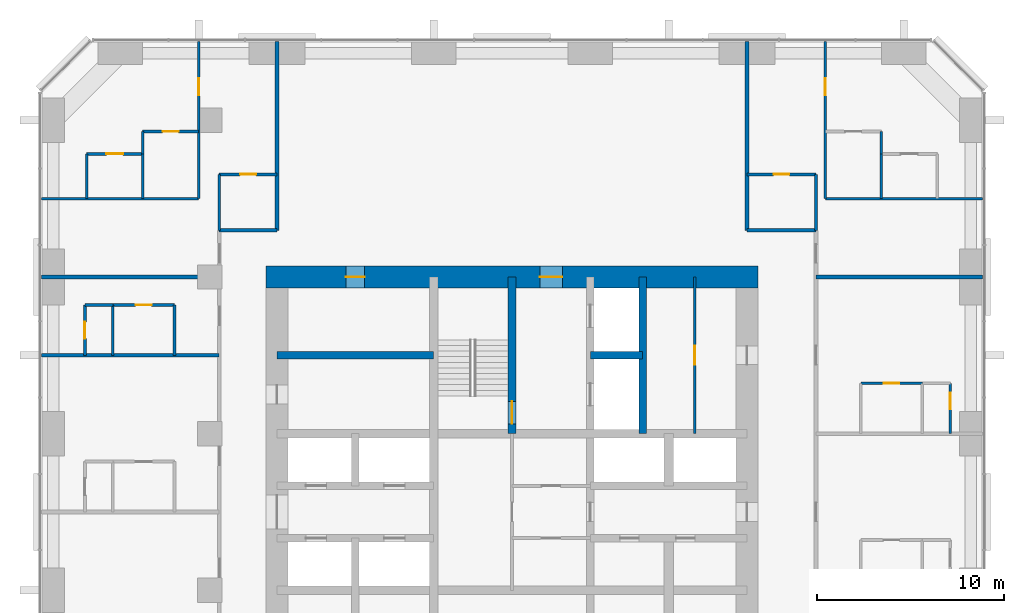
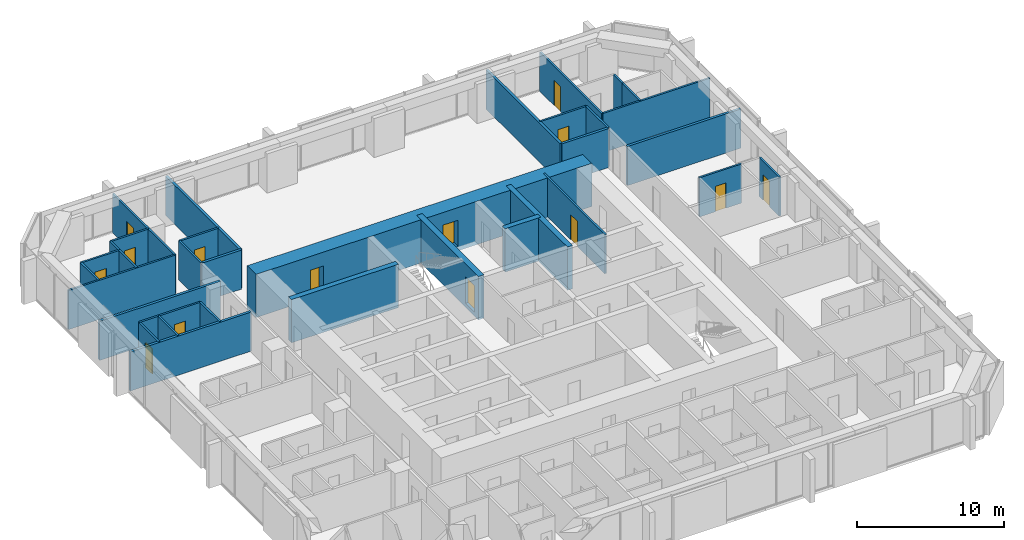
# One storey, part 12 of 14: 35 walls, 14 doors, 14 openings.
"""IFC4 building model written with IfcOpenShell, lengths in metres."""

from ifc_helpers import new_model, si_unit, direction, frame, frame_2d, origin, place, context, subcontext, project, spatial, rectangle, extrude, material, layer, layer_set, type_object, element, fill, save


model = new_model("IFC4")

# Units and contexts
model_context = context("Model", 3, precision=1e-05, world=origin(), true_north=direction((0.0, 1.0)))
body_context = subcontext(model_context, "Body", "Model", "MODEL_VIEW")
ifc_project = project(units=[si_unit("LENGTHUNIT", "METRE"), si_unit("AREAUNIT", "SQUARE_METRE"), si_unit("VOLUMEUNIT", "CUBIC_METRE"), si_unit("PLANEANGLEUNIT", "RADIAN"), si_unit("MASSUNIT", "GRAM", prefix="KILO")], contexts=[model_context])

# Site, building, storey
site_placement = place(None, origin())
site = spatial("IfcSite", under=ifc_project, at=site_placement, CompositionType="ELEMENT")
building_placement = place(site_placement, origin())
building = spatial("IfcBuilding", under=site, at=building_placement, Name="Dunama Terrace Hotel", CompositionType="ELEMENT")
storey_placement = place(building_placement, frame((0.0, 0.0, 213.0)))
storey = spatial("IfcBuildingStorey", under=building, at=storey_placement, Name="L55", CompositionType="ELEMENT", Elevation=213.0)

# Walls
ifc_material_1 = material(Name="Gypsum board partition", Category="masonry")
ifc_layer_1 = layer(ifc_material_1, 0.14990234375)
ifc_layer_set_1 = layer_set([ifc_layer_1], Name="Bathroom partition 150")
wall_type_1 = type_object("IfcWallType", Name="Bathroom partition 150", PredefinedType="PARTITIONING", material=ifc_layer_set_1)
wall_1_placement = place(storey_placement, frame((9.60009765625, 48.60009765625, 0.0), z_axis=(0.0, 0.0, 1.0), x_axis=(0.0, 1.0, 0.0)))
element("IfcWall", 1, at=wall_1_placement, inside=storey, type_object=wall_type_1, Name="Bathroom partition 150 L55", PredefinedType="PARTITIONING", context=body_context, shape_type="SweptSolid", body=[
    extrude(rectangle(XDim=1.199951171875, YDim=0.14990234375, at=frame_2d((0.60009765625, 0.0))), origin(), (0.0, 0.0, 1.0), 3.25),
])
wall_2_placement = place(storey_placement, frame((11.300048828125, 37.800048828125, 0.0), z_axis=(0.0, 0.0, 1.0), x_axis=(0.0, 1.0, 0.0)))
element("IfcWall", 2, at=wall_2_placement, inside=storey, type_object=wall_type_1, Name="Bathroom partition 150 L55", PredefinedType="PARTITIONING", context=body_context, shape_type="SweptSolid", body=[
    extrude(rectangle(XDim=2.699951171875, YDim=0.14990234375, at=frame_2d((1.35009765625, 0.0))), origin(), (0.0, 0.0, 1.0), 3.25),
])
for number, where, z_axis, x_axis, name in (
    (3, (13.699951171875, 44.5, 0.0), (0.0, 0.0, 1.0), (0.0, 1.0, 0.0), "Bathroom partition 150 L55"),
    (4, (45.699951171875, 44.5, 0.0), (0.0, 0.0, 1.0), (0.0, 1.0, 0.0), "Bathroom partition 150 L55"),
):
    element("IfcWall", number, at=place(storey_placement, frame(where, z_axis=z_axis, x_axis=x_axis)), inside=storey, type_object=wall_type_1, Name=name, PredefinedType="PARTITIONING", context=body_context, shape_type="SweptSolid", body=[
        extrude(rectangle(XDim=3.0, YDim=0.14990234375, at=frame_2d((1.5, 0.0))), origin(), (0.0, 0.0, 1.0), 3.25),
    ])
wall_3_placement = place(storey_placement, frame((49.199951171875, 48.60009765625, 0.0), z_axis=(0.0, 0.0, 1.0), x_axis=(0.0, 1.0, 0.0)))
element("IfcWall", 5, at=wall_3_placement, inside=storey, type_object=wall_type_1, Name="Bathroom partition 150 L55", PredefinedType="PARTITIONING", context=body_context, shape_type="SweptSolid", body=[
    extrude(rectangle(XDim=1.199951171875, YDim=0.14990234375, at=frame_2d((0.60009765625, 0.0))), origin(), (0.0, 0.0, 1.0), 3.25),
])

# Wall, opening, door
wall_4_placement = place(storey_placement, frame((48.10009765625, 36.300048828125, 0.0), z_axis=(0.0, 0.0, 1.0), x_axis=(1.0, 0.0, 0.0)))
wall_4 = element("IfcWall", 6, at=wall_4_placement, inside=storey, type_object=wall_type_1, Name="Bathroom partition 150 L55", PredefinedType="PARTITIONING", context=body_context, shape_type="SweptSolid", body=[
    extrude(rectangle(XDim=3.2998046875, YDim=0.14990234375, at=frame_2d((1.64990234375, 0.0))), origin(), (0.0, 0.0, 1.0), 3.25),
])
opening_1_placement = place(wall_4_placement, frame((1.22509765625, 0.0, 0.0)))
opening_1 = element("IfcOpeningElement", 7, at=opening_1_placement, cuts=wall_4, Name="Opening L55-034", PredefinedType="OPENING", context=body_context, shape_type="SweptSolid", body=[
    extrude(rectangle(XDim=0.85009765625, YDim=2.10009765625, at=frame_2d((0.425048828125, 1.050048828125))), frame((0.0, 0.0849609375, 0.0), z_axis=(0.0, -1.0, 0.0), x_axis=(1.0, 0.0, 0.0)), (0.0, 0.0, 1.0), 0.169921875),
])
ifc_material_2 = material(Name="Timber door with steel frame", Category="steel")
door_type_1 = type_object("IfcDoorType", Name="Bathroom door 850", OperationType="SINGLE_SWING_LEFT", PredefinedType="DOOR", material=ifc_material_2)
door_1_placement = place(opening_1_placement, frame((0.85009765625, 0.0, 0.0), z_axis=(0.0, 0.0, 1.0), x_axis=(-1.0, 0.0, 0.0)))
door_1 = element("IfcDoor", 8, at=door_1_placement, inside=storey, type_object=door_type_1, Name="Door to en-suite bathroom L55-034, type D2", OperationType="SINGLE_SWING_LEFT", OverallHeight=2.10009765625, OverallWidth=0.85009765625, PredefinedType="DOOR", context=body_context, shape_type="SweptSolid", body=[
    extrude(rectangle(XDim=0.85009765625, YDim=2.10009765625, at=frame_2d((0.425048828125, 1.050048828125))), frame((0.0, 0.025146484375, 0.0), z_axis=(0.0, -1.0, 0.0), x_axis=(1.0, 0.0, 0.0)), (0.0, 0.0, 1.0), 0.050048828125),
])
fill(opening_1, door_1)

wall_5_placement = place(storey_placement, frame((8.0, 40.5, 0.0), z_axis=(0.0, 0.0, 1.0), x_axis=(1.0, 0.0, 0.0)))
wall_5 = element("IfcWall", 9, at=wall_5_placement, inside=storey, type_object=wall_type_1, Name="Bathroom partition 150 L55", PredefinedType="PARTITIONING", context=body_context, shape_type="SweptSolid", body=[
    extrude(rectangle(XDim=3.300048828125, YDim=0.14990234375, at=frame_2d((1.64990234375, 0.0))), origin(), (0.0, 0.0, 1.0), 3.25),
])
opening_2_placement = place(wall_5_placement, frame((1.22509765625, 0.0, 0.0)))
opening_2 = element("IfcOpeningElement", 10, at=opening_2_placement, cuts=wall_5, Name="Opening L55-046", PredefinedType="OPENING", context=body_context, shape_type="SweptSolid", body=[
    extrude(rectangle(XDim=0.85009765625, YDim=2.10009765625, at=frame_2d((0.425048828125, 1.050048828125))), frame((0.0, 0.0849609375, 0.0), z_axis=(0.0, -1.0, 0.0), x_axis=(1.0, 0.0, 0.0)), (0.0, 0.0, 1.0), 0.169921875),
])
door_2_placement = place(opening_2_placement, frame((0.85009765625, 0.0, 0.0), z_axis=(0.0, 0.0, 1.0), x_axis=(-1.0, 0.0, 0.0)))
door_2 = element("IfcDoor", 11, at=door_2_placement, inside=storey, type_object=door_type_1, Name="Door to en-suite bathroom L55-046, type D2", OperationType="SINGLE_SWING_RIGHT", OverallHeight=2.10009765625, OverallWidth=0.85009765625, PredefinedType="DOOR", context=body_context, shape_type="SweptSolid", body=[
    extrude(rectangle(XDim=0.85009765625, YDim=2.10009765625, at=frame_2d((0.425048828125, 1.050048828125))), frame((0.0, 0.025146484375, 0.0), z_axis=(0.0, -1.0, 0.0), x_axis=(1.0, 0.0, 0.0)), (0.0, 0.0, 1.0), 0.050048828125),
])
fill(opening_2, door_2)

wall_6_placement = place(storey_placement, frame((13.699951171875, 47.5, 0.0), z_axis=(0.0, 0.0, 1.0), x_axis=(1.0, 0.0, 0.0)))
wall_6 = element("IfcWall", 12, at=wall_6_placement, inside=storey, type_object=wall_type_1, Name="Bathroom partition 150 L55", PredefinedType="PARTITIONING", context=body_context, shape_type="SweptSolid", body=[
    extrude(rectangle(XDim=3.10009765625, YDim=0.14990234375, at=frame_2d((1.550048828125, 0.0))), origin(), (0.0, 0.0, 1.0), 3.25),
])
opening_3_placement = place(wall_6_placement, frame((1.125, 0.0, 0.0)))
opening_3 = element("IfcOpeningElement", 13, at=opening_3_placement, cuts=wall_6, Name="Opening L55-064", PredefinedType="OPENING", context=body_context, shape_type="SweptSolid", body=[
    extrude(rectangle(XDim=0.85009765625, YDim=2.10009765625, at=frame_2d((0.425048828125, 1.050048828125))), frame((0.0, 0.0849609375, 0.0), z_axis=(0.0, -1.0, 0.0), x_axis=(1.0, 0.0, 0.0)), (0.0, 0.0, 1.0), 0.169921875),
])
door_3_placement = place(opening_3_placement, frame((0.85009765625, 0.0, 0.0), z_axis=(0.0, 0.0, 1.0), x_axis=(-1.0, 0.0, 0.0)))
door_3 = element("IfcDoor", 14, at=door_3_placement, inside=storey, type_object=door_type_1, Name="Door to powder room L55-064, type D2", OperationType="SINGLE_SWING_LEFT", OverallHeight=2.10009765625, OverallWidth=0.85009765625, PredefinedType="DOOR", context=body_context, shape_type="SweptSolid", body=[
    extrude(rectangle(XDim=0.85009765625, YDim=2.10009765625, at=frame_2d((0.425048828125, 1.050048828125))), frame((0.0, 0.025146484375, 0.0), z_axis=(0.0, -1.0, 0.0), x_axis=(1.0, 0.0, 0.0)), (0.0, 0.0, 1.0), 0.050048828125),
])
fill(opening_3, door_3)

wall_7_placement = place(storey_placement, frame((42.0, 47.5, 0.0), z_axis=(0.0, 0.0, 1.0), x_axis=(1.0, 0.0, 0.0)))
wall_7 = element("IfcWall", 15, at=wall_7_placement, inside=storey, type_object=wall_type_1, Name="Bathroom partition 150 L55", PredefinedType="PARTITIONING", context=body_context, shape_type="SweptSolid", body=[
    extrude(rectangle(XDim=3.699951171875, YDim=0.14990234375, at=frame_2d((1.85009765625, 0.0))), origin(), (0.0, 0.0, 1.0), 3.25),
])
opening_4_placement = place(wall_7_placement, frame((1.425048828125, 0.0, 0.0)))
opening_4 = element("IfcOpeningElement", 16, at=opening_4_placement, cuts=wall_7, Name="Opening L55-059", PredefinedType="OPENING", context=body_context, shape_type="SweptSolid", body=[
    extrude(rectangle(XDim=0.85009765625, YDim=2.10009765625, at=frame_2d((0.425048828125, 1.050048828125))), frame((0.0, 0.0849609375, 0.0), z_axis=(0.0, -1.0, 0.0), x_axis=(1.0, 0.0, 0.0)), (0.0, 0.0, 1.0), 0.169921875),
])
door_4_placement = place(opening_4_placement, frame((0.85009765625, 0.0, 0.0), z_axis=(0.0, 0.0, 1.0), x_axis=(-1.0, 0.0, 0.0)))
door_4 = element("IfcDoor", 17, at=door_4_placement, inside=storey, type_object=door_type_1, Name="Door to powder room L55-059, type D2", OperationType="SINGLE_SWING_RIGHT", OverallHeight=2.10009765625, OverallWidth=0.85009765625, PredefinedType="DOOR", context=body_context, shape_type="SweptSolid", body=[
    extrude(rectangle(XDim=0.85009765625, YDim=2.10009765625, at=frame_2d((0.425048828125, 1.050048828125))), frame((0.0, 0.025146484375, 0.0), z_axis=(0.0, -1.0, 0.0), x_axis=(1.0, 0.0, 0.0)), (0.0, 0.0, 1.0), 0.050048828125),
])
fill(opening_4, door_4)

wall_8_placement = place(storey_placement, frame((9.60009765625, 49.800048828125, 0.0), z_axis=(0.0, 0.0, 1.0), x_axis=(1.0, 0.0, 0.0)))
wall_8 = element("IfcWall", 18, at=wall_8_placement, inside=storey, type_object=wall_type_1, Name="Bathroom partition 150 L55", PredefinedType="PARTITIONING", context=body_context, shape_type="SweptSolid", body=[
    extrude(rectangle(XDim=3.0, YDim=0.14990234375, at=frame_2d((1.5, 0.0))), origin(), (0.0, 0.0, 1.0), 3.25),
])
opening_5_placement = place(wall_8_placement, frame((1.074951171875, 0.0, 0.0)))
opening_5 = element("IfcOpeningElement", 19, at=opening_5_placement, cuts=wall_8, Name="Opening L55-066", PredefinedType="OPENING", context=body_context, shape_type="SweptSolid", body=[
    extrude(rectangle(XDim=0.85009765625, YDim=2.10009765625, at=frame_2d((0.425048828125, 1.050048828125))), frame((0.0, 0.0849609375, 0.0), z_axis=(0.0, -1.0, 0.0), x_axis=(1.0, 0.0, 0.0)), (0.0, 0.0, 1.0), 0.169921875),
])
door_5_placement = place(opening_5_placement, frame((0.85009765625, 0.0, 0.0), z_axis=(0.0, 0.0, 1.0), x_axis=(-1.0, 0.0, 0.0)))
door_5 = element("IfcDoor", 20, at=door_5_placement, inside=storey, type_object=door_type_1, Name="Door to en-suite bathroom L55-066, type D2", OperationType="SINGLE_SWING_RIGHT", OverallHeight=2.10009765625, OverallWidth=0.85009765625, PredefinedType="DOOR", context=body_context, shape_type="SweptSolid", body=[
    extrude(rectangle(XDim=0.85009765625, YDim=2.10009765625, at=frame_2d((0.425048828125, 1.050048828125))), frame((0.0, 0.025146484375, 0.0), z_axis=(0.0, -1.0, 0.0), x_axis=(1.0, 0.0, 0.0)), (0.0, 0.0, 1.0), 0.050048828125),
])
fill(opening_5, door_5)

# Walls
ifc_material_3 = material(Name="Concrete C50/60", Category="concrete")
ifc_layer_2 = layer(ifc_material_3, 0.39990234375)
ifc_layer_set_2 = layer_set([ifc_layer_2], Name="Core inner wall 400")
wall_type_2 = type_object("IfcWallType", Name="Core inner wall 400", PredefinedType="SHEAR", material=ifc_layer_set_2)
for number, where, z_axis, x_axis, name in (
    (21, (36.39990234375, 33.60009765625, -0.35009765625), (0.0, 0.0, 1.0), (0.0, 1.0, 0.0), "Core inner wall 400 L55"),
    (22, (16.800048828125, 37.800048828125, -0.35009765625), (0.0, 0.0, 1.0), (1.0, 0.0, 0.0), "Core inner wall 400 L55"),
):
    element("IfcWall", number, at=place(storey_placement, frame(where, z_axis=z_axis, x_axis=x_axis)), inside=storey, type_object=wall_type_2, Name=name, PredefinedType="SHEAR", context=body_context, shape_type="SweptSolid", body=[
        extrude(rectangle(XDim=8.39990234375, YDim=0.39990234375, at=frame_2d((4.199951171875, 0.0))), origin(), (0.0, 0.0, 1.0), 3.60009765625),
    ])
wall_9_placement = place(storey_placement, frame((33.60009765625, 37.800048828125, -0.35009765625), z_axis=(0.0, 0.0, 1.0), x_axis=(1.0, 0.0, 0.0)))
element("IfcWall", 23, at=wall_9_placement, inside=storey, type_object=wall_type_2, Name="Core inner wall 400 L55", PredefinedType="SHEAR", context=body_context, shape_type="SweptSolid", body=[
    extrude(rectangle(XDim=2.7998046875, YDim=0.39990234375, at=frame_2d((1.39990234375, 0.0))), origin(), (0.0, 0.0, 1.0), 3.60009765625),
])

# Wall, opening, door
ifc_material_4 = material(Name="Concrete C50/60", Category="concrete")
ifc_layer_3 = layer(ifc_material_4, 0.449951171875)
ifc_layer_set_3 = layer_set([ifc_layer_3], Name="Core inner wall 450")
wall_type_3 = type_object("IfcWallType", Name="Core inner wall 450", PredefinedType="SHEAR", material=ifc_layer_set_3)
wall_10_placement = place(storey_placement, frame((29.39990234375, 33.60009765625, -0.35009765625), z_axis=(0.0, 0.0, 1.0), x_axis=(0.0, 1.0, 0.0)))
wall_10 = element("IfcWall", 24, at=wall_10_placement, inside=storey, type_object=wall_type_3, Name="Core inner wall 450 L55", PredefinedType="SHEAR", context=body_context, shape_type="SweptSolid", body=[
    extrude(rectangle(XDim=8.39990234375, YDim=0.449951171875, at=frame_2d((4.199951171875, 0.0))), origin(), (0.0, 0.0, 1.0), 3.60009765625),
])
opening_6_placement = place(wall_10_placement, frame((0.52490234375, 0.0, 0.35009765625)))
opening_6 = element("IfcOpeningElement", 25, at=opening_6_placement, cuts=wall_10, Name="Opening L55-001", PredefinedType="OPENING", context=body_context, shape_type="SweptSolid", body=[
    extrude(rectangle(XDim=1.199951171875, YDim=2.199951171875, at=frame_2d((0.60009765625, 1.10009765625))), frame((0.0, 0.23486328125, 0.0), z_axis=(0.0, -1.0, 0.0), x_axis=(1.0, 0.0, 0.0)), (0.0, 0.0, 1.0), 0.469970703125),
])
ifc_material_5 = material(Name="Timber door with steel frame", Category="steel")
door_type_2 = type_object("IfcDoorType", Name="Stair door 1200", OperationType="SINGLE_SWING_LEFT", PredefinedType="DOOR", material=ifc_material_5)
door_6_placement = place(opening_6_placement, origin())
door_6 = element("IfcDoor", 26, at=door_6_placement, inside=storey, type_object=door_type_2, Name="Stair door ST1 L55-001, type D5", OperationType="SINGLE_SWING_LEFT", OverallHeight=2.199951171875, OverallWidth=1.199951171875, PredefinedType="DOOR", context=body_context, shape_type="SweptSolid", body=[
    extrude(rectangle(XDim=1.199951171875, YDim=2.199951171875, at=frame_2d((0.60009765625, 1.10009765625))), frame((0.0, 0.02490234375, 0.0), z_axis=(0.0, -1.0, 0.0), x_axis=(1.0, 0.0, 0.0)), (0.0, 0.0, 1.0), 0.050048828125),
])
fill(opening_6, door_6)

# Wall, openings, doors
ifc_material_6 = material(Name="Concrete C60/75", Category="concrete")
ifc_layer_4 = layer(ifc_material_6, 1.199951171875)
ifc_layer_set_4 = layer_set([ifc_layer_4], Name="Core wall 1200")
wall_type_4 = type_object("IfcWallType", Name="Core wall 1200", PredefinedType="SHEAR", material=ifc_layer_set_4)
wall_11_placement = place(storey_placement, frame((42.60009765625, 42.0, -0.35009765625), z_axis=(0.0, 0.0, 1.0), x_axis=(-1.0, 0.0, 0.0)))
wall_11 = element("IfcWall", 27, at=wall_11_placement, inside=storey, type_object=wall_type_4, Name="Core wall north L55", PredefinedType="SHEAR", context=body_context, shape_type="SweptSolid", body=[
    extrude(rectangle(XDim=26.400146484375, YDim=1.199951171875, at=frame_2d((13.2001953125, 0.0))), origin(), (0.0, 0.0, 1.0), 3.60009765625),
])
opening_7_placement = place(wall_11_placement, frame((21.10009765625, 0.0, 0.35009765625)))
opening_7 = element("IfcOpeningElement", 28, at=opening_7_placement, cuts=wall_11, Name="Opening L55-075", PredefinedType="OPENING", context=body_context, shape_type="SweptSolid", body=[
    extrude(rectangle(XDim=1.0, YDim=2.10009765625, at=frame_2d((0.5, 1.050048828125))), frame((0.0, 0.60986328125, 0.0), z_axis=(0.0, -1.0, 0.0), x_axis=(1.0, 0.0, 0.0)), (0.0, 0.0, 1.0), 1.219970703125),
])
opening_8_placement = place(wall_11_placement, frame((10.5, 0.0, 0.35009765625)))
opening_8 = element("IfcOpeningElement", 29, at=opening_8_placement, cuts=wall_11, Name="Opening L55-083", PredefinedType="OPENING", context=body_context, shape_type="SweptSolid", body=[
    extrude(rectangle(XDim=1.199951171875, YDim=2.199951171875, at=frame_2d((0.60009765625, 1.10009765625))), frame((0.0, 0.60986328125, 0.0), z_axis=(0.0, -1.0, 0.0), x_axis=(1.0, 0.0, 0.0)), (0.0, 0.0, 1.0), 1.219970703125),
])
ifc_material_7 = material(Name="Timber door with steel frame", Category="steel")
door_type_3 = type_object("IfcDoorType", Name="Firefighting lobby door 1200", OperationType="SINGLE_SWING_LEFT", PredefinedType="DOOR", material=ifc_material_7)
door_7_placement = place(opening_8_placement, origin())
door_7 = element("IfcDoor", 30, at=door_7_placement, inside=storey, type_object=door_type_3, Name="Door to firefighting lobby L55-083, type D4", OperationType="SINGLE_SWING_RIGHT", OverallHeight=2.199951171875, OverallWidth=1.199951171875, PredefinedType="DOOR", context=body_context, shape_type="SweptSolid", body=[
    extrude(rectangle(XDim=1.199951171875, YDim=2.199951171875, at=frame_2d((0.60009765625, 1.10009765625))), frame((0.0, 0.02490234375, 0.0), z_axis=(0.0, -1.0, 0.0), x_axis=(1.0, 0.0, 0.0)), (0.0, 0.0, 1.0), 0.050048828125),
])
fill(opening_8, door_7)
ifc_material_8 = material(Name="Timber door with steel frame", Category="steel")
door_type_4 = type_object("IfcDoorType", Name="Service door 1000", OperationType="SINGLE_SWING_LEFT", PredefinedType="DOOR", material=ifc_material_8)
door_8_placement = place(opening_7_placement, origin())
door_8 = element("IfcDoor", 31, at=door_8_placement, inside=storey, type_object=door_type_4, Name="Door to communications and riser room L55-075, type D7", OperationType="SINGLE_SWING_LEFT", OverallHeight=2.10009765625, OverallWidth=1.0, PredefinedType="DOOR", context=body_context, shape_type="SweptSolid", body=[
    extrude(rectangle(XDim=1.0, YDim=2.10009765625, at=frame_2d((0.5, 1.050048828125))), frame((0.0, 0.02490234375, 0.0), z_axis=(0.0, -1.0, 0.0), x_axis=(1.0, 0.0, 0.0)), (0.0, 0.0, 1.0), 0.050048828125),
])
fill(opening_7, door_8)

# Walls
ifc_material_9 = material(Name="Concrete blockwork", Category="masonry")
ifc_layer_5 = layer(ifc_material_9, 0.199951171875)
ifc_layer_set_5 = layer_set([ifc_layer_5], Name="Corridor partition 200")
wall_type_5 = type_object("IfcWallType", Name="Corridor partition 200", PredefinedType="PARTITIONING", material=ifc_layer_set_5)
wall_12_placement = place(storey_placement, frame((16.800048828125, 44.5, 0.0), z_axis=(0.0, 0.0, 1.0), x_axis=(0.0, 1.0, 0.0)))
element("IfcWall", 32, at=wall_12_placement, inside=storey, type_object=wall_type_5, Name="Corridor partition 200 L55", PredefinedType="PARTITIONING", context=body_context, shape_type="SweptSolid", body=[
    extrude(rectangle(XDim=10.117919921875, YDim=0.199951171875, at=frame_2d((5.05908203125, 0.0))), origin(), (0.0, 0.0, 1.0), 3.25),
])
wall_13_placement = place(storey_placement, frame((13.699951171875, 44.5, 0.0), z_axis=(0.0, 0.0, 1.0), x_axis=(1.0, 0.0, 0.0)))
element("IfcWall", 33, at=wall_13_placement, inside=storey, type_object=wall_type_5, Name="Corridor partition 200 L55", PredefinedType="PARTITIONING", context=body_context, shape_type="SweptSolid", body=[
    extrude(rectangle(XDim=3.10009765625, YDim=0.199951171875, at=frame_2d((1.550048828125, 0.0))), origin(), (0.0, 0.0, 1.0), 3.25),
])
wall_14_placement = place(storey_placement, frame((42.0, 44.5, 0.0), z_axis=(0.0, 0.0, 1.0), x_axis=(1.0, 0.0, 0.0)))
element("IfcWall", 34, at=wall_14_placement, inside=storey, type_object=wall_type_5, Name="Corridor partition 200 L55", PredefinedType="PARTITIONING", context=body_context, shape_type="SweptSolid", body=[
    extrude(rectangle(XDim=3.699951171875, YDim=0.199951171875, at=frame_2d((1.85009765625, 0.0))), origin(), (0.0, 0.0, 1.0), 3.25),
])
wall_15_placement = place(storey_placement, frame((42.0, 54.617919921875, 0.0), z_axis=(0.0, 0.0, 1.0), x_axis=(0.0, -1.0, 0.0)))
element("IfcWall", 35, at=wall_15_placement, inside=storey, type_object=wall_type_5, Name="Corridor partition 200 L55", PredefinedType="PARTITIONING", context=body_context, shape_type="SweptSolid", body=[
    extrude(rectangle(XDim=10.117919921875, YDim=0.199951171875, at=frame_2d((5.05908203125, 0.0))), origin(), (0.0, 0.0, 1.0), 3.25),
])
ifc_material_10 = material(Name="Concrete blockwork", Category="masonry")
ifc_layer_6 = layer(ifc_material_10, 0.199951171875)
ifc_layer_set_6 = layer_set([ifc_layer_6], Name="Party wall 200")
wall_type_6 = type_object("IfcWallType", Name="Party wall 200", PredefinedType="PARTITIONING", material=ifc_layer_set_6)
for number, where, z_axis, x_axis, name in (
    (36, (4.181884765625, 37.800048828125, 0.0), (0.0, 0.0, 1.0), (1.0, 0.0, 0.0), "Party wall 200 L55"),
    (37, (4.181884765625, 42.0, 0.0), (0.0, 0.0, 1.0), (1.0, 0.0, 0.0), "Party wall 200 L55"),
):
    element("IfcWall", number, at=place(storey_placement, frame(where, z_axis=z_axis, x_axis=x_axis)), inside=storey, type_object=wall_type_6, Name=name, PredefinedType="PARTITIONING", context=body_context, shape_type="SweptSolid", body=[
        extrude(rectangle(XDim=9.51806640625, YDim=0.199951171875, at=frame_2d((4.759033203125, 0.0))), origin(), (0.0, 0.0, 1.0), 3.25),
    ])
wall_16_placement = place(storey_placement, frame((45.699951171875, 42.0, 0.0), z_axis=(0.0, 0.0, 1.0), x_axis=(1.0, 0.0, 0.0)))
element("IfcWall", 38, at=wall_16_placement, inside=storey, type_object=wall_type_6, Name="Party wall 200 L55", PredefinedType="PARTITIONING", context=body_context, shape_type="SweptSolid", body=[
    extrude(rectangle(XDim=8.91796875, YDim=0.199951171875, at=frame_2d((4.458984375, 0.0))), origin(), (0.0, 0.0, 1.0), 3.25),
])

# Wall, opening, door
ifc_material_11 = material(Name="Gypsum board partition", Category="masonry")
ifc_layer_7 = layer(ifc_material_11, 0.14990234375)
ifc_layer_set_7 = layer_set([ifc_layer_7], Name="Room partition 150")
wall_type_7 = type_object("IfcWallType", Name="Room partition 150", PredefinedType="PARTITIONING", material=ifc_layer_set_7)
wall_17_placement = place(storey_placement, frame((6.5, 37.800048828125, 0.0), z_axis=(0.0, 0.0, 1.0), x_axis=(0.0, 1.0, 0.0)))
wall_17 = element("IfcWall", 39, at=wall_17_placement, inside=storey, type_object=wall_type_7, Name="Room partition 150 L55", PredefinedType="PARTITIONING", context=body_context, shape_type="SweptSolid", body=[
    extrude(rectangle(XDim=2.699951171875, YDim=0.14990234375, at=frame_2d((1.35009765625, 0.0))), origin(), (0.0, 0.0, 1.0), 3.25),
])
opening_9_placement = place(wall_17_placement, frame((0.89990234375, 0.0, 0.0)))
opening_9 = element("IfcOpeningElement", 40, at=opening_9_placement, cuts=wall_17, Name="Opening L55-047", PredefinedType="OPENING", context=body_context, shape_type="SweptSolid", body=[
    extrude(rectangle(XDim=0.89990234375, YDim=2.10009765625, at=frame_2d((0.449951171875, 1.050048828125))), frame((0.0, 0.0849609375, 0.0), z_axis=(0.0, -1.0, 0.0), x_axis=(1.0, 0.0, 0.0)), (0.0, 0.0, 1.0), 0.169921875),
])
ifc_material_12 = material(Name="Timber door with steel frame", Category="steel")
door_type_5 = type_object("IfcDoorType", Name="Suite internal door 900", OperationType="SINGLE_SWING_LEFT", PredefinedType="DOOR", material=ifc_material_12)
door_9_placement = place(opening_9_placement, frame((0.89990234375, 0.0, 0.0), z_axis=(0.0, 0.0, 1.0), x_axis=(-1.0, 0.0, 0.0)))
door_9 = element("IfcDoor", 41, at=door_9_placement, inside=storey, type_object=door_type_5, Name="Door to walk-in wardrobe L55-047, type D16", OperationType="SINGLE_SWING_RIGHT", OverallHeight=2.10009765625, OverallWidth=0.89990234375, PredefinedType="DOOR", context=body_context, shape_type="SweptSolid", body=[
    extrude(rectangle(XDim=0.89990234375, YDim=2.10009765625, at=frame_2d((0.449951171875, 1.050048828125))), frame((0.0, 0.025146484375, 0.0), z_axis=(0.0, -1.0, 0.0), x_axis=(1.0, 0.0, 0.0)), (0.0, 0.0, 1.0), 0.050048828125),
])
fill(opening_9, door_9)

# Walls
wall_18_placement = place(storey_placement, frame((6.60009765625, 46.199951171875, 0.0), z_axis=(0.0, 0.0, 1.0), x_axis=(0.0, 1.0, 0.0)))
element("IfcWall", 42, at=wall_18_placement, inside=storey, type_object=wall_type_7, Name="Room partition 150 L55", PredefinedType="PARTITIONING", context=body_context, shape_type="SweptSolid", body=[
    extrude(rectangle(XDim=2.400146484375, YDim=0.14990234375, at=frame_2d((1.2001953125, 0.0))), origin(), (0.0, 0.0, 1.0), 3.25),
])
wall_19_placement = place(storey_placement, frame((8.0, 37.800048828125, 0.0), z_axis=(0.0, 0.0, 1.0), x_axis=(0.0, 1.0, 0.0)))
element("IfcWall", 43, at=wall_19_placement, inside=storey, type_object=wall_type_7, Name="Room partition 150 L55", PredefinedType="PARTITIONING", context=body_context, shape_type="SweptSolid", body=[
    extrude(rectangle(XDim=2.699951171875, YDim=0.14990234375, at=frame_2d((1.35009765625, 0.0))), origin(), (0.0, 0.0, 1.0), 3.25),
])
wall_20_placement = place(storey_placement, frame((9.60009765625, 46.199951171875, 0.0), z_axis=(0.0, 0.0, 1.0), x_axis=(0.0, 1.0, 0.0)))
element("IfcWall", 44, at=wall_20_placement, inside=storey, type_object=wall_type_7, Name="Room partition 150 L55", PredefinedType="PARTITIONING", context=body_context, shape_type="SweptSolid", body=[
    extrude(rectangle(XDim=2.400146484375, YDim=0.14990234375, at=frame_2d((1.2001953125, 0.0))), origin(), (0.0, 0.0, 1.0), 3.25),
])

# Wall, opening, door
wall_21_placement = place(storey_placement, frame((12.60009765625, 46.199951171875, 0.0), z_axis=(0.0, 0.0, 1.0), x_axis=(0.0, 1.0, 0.0)))
wall_21 = element("IfcWall", 45, at=wall_21_placement, inside=storey, type_object=wall_type_7, Name="Room partition 150 L55", PredefinedType="PARTITIONING", context=body_context, shape_type="SweptSolid", body=[
    extrude(rectangle(XDim=8.41796875, YDim=0.14990234375, at=frame_2d((4.208984375, 0.0))), origin(), (0.0, 0.0, 1.0), 3.25),
])
opening_10_placement = place(wall_21_placement, frame((5.550048828125, 0.0, 0.0)))
opening_10 = element("IfcOpeningElement", 46, at=opening_10_placement, cuts=wall_21, Name="Opening L55-065", PredefinedType="OPENING", context=body_context, shape_type="SweptSolid", body=[
    extrude(rectangle(XDim=0.89990234375, YDim=2.10009765625, at=frame_2d((0.449951171875, 1.050048828125))), frame((0.0, 0.0849609375, 0.0), z_axis=(0.0, -1.0, 0.0), x_axis=(1.0, 0.0, 0.0)), (0.0, 0.0, 1.0), 0.169921875),
])
door_10_placement = place(opening_10_placement, origin())
door_10 = element("IfcDoor", 47, at=door_10_placement, inside=storey, type_object=door_type_5, Name="Door to corner suite bedroom L55-065, type D16", OperationType="SINGLE_SWING_LEFT", OverallHeight=2.10009765625, OverallWidth=0.89990234375, PredefinedType="DOOR", context=body_context, shape_type="SweptSolid", body=[
    extrude(rectangle(XDim=0.89990234375, YDim=2.10009765625, at=frame_2d((0.449951171875, 1.050048828125))), frame((0.0, 0.02490234375, 0.0), z_axis=(0.0, -1.0, 0.0), x_axis=(1.0, 0.0, 0.0)), (0.0, 0.0, 1.0), 0.050048828125),
])
fill(opening_10, door_10)

wall_22_placement = place(storey_placement, frame((39.199951171875, 33.60009765625, 0.0), z_axis=(0.0, 0.0, 1.0), x_axis=(0.0, 1.0, 0.0)))
wall_22 = element("IfcWall", 48, at=wall_22_placement, inside=storey, type_object=wall_type_7, Name="Room partition 150 L55", PredefinedType="PARTITIONING", context=body_context, shape_type="SweptSolid", body=[
    extrude(rectangle(XDim=8.39990234375, YDim=0.14990234375, at=frame_2d((4.199951171875, 0.0))), origin(), (0.0, 0.0, 1.0), 3.25),
])
opening_11_placement = place(wall_22_placement, frame((3.699951171875, 0.0, 0.0)))
opening_11 = element("IfcOpeningElement", 49, at=opening_11_placement, cuts=wall_22, Name="Opening L55-085", PredefinedType="OPENING", context=body_context, shape_type="SweptSolid", body=[
    extrude(rectangle(XDim=1.0, YDim=2.10009765625, at=frame_2d((0.5, 1.050048828125))), frame((0.0, 0.0849609375, 0.0), z_axis=(0.0, -1.0, 0.0), x_axis=(1.0, 0.0, 0.0)), (0.0, 0.0, 1.0), 0.169921875),
])
door_11_placement = place(opening_11_placement, origin())
door_11 = element("IfcDoor", 50, at=door_11_placement, inside=storey, type_object=door_type_4, Name="Door to luggage store L55-085, type D7", OperationType="SINGLE_SWING_LEFT", OverallHeight=2.10009765625, OverallWidth=1.0, PredefinedType="DOOR", context=body_context, shape_type="SweptSolid", body=[
    extrude(rectangle(XDim=1.0, YDim=2.10009765625, at=frame_2d((0.5, 1.050048828125))), frame((0.0, 0.02490234375, 0.0), z_axis=(0.0, -1.0, 0.0), x_axis=(1.0, 0.0, 0.0)), (0.0, 0.0, 1.0), 0.050048828125),
])
fill(opening_11, door_11)

wall_23_placement = place(storey_placement, frame((46.199951171875, 46.199951171875, 0.0), z_axis=(0.0, 0.0, 1.0), x_axis=(0.0, 1.0, 0.0)))
wall_23 = element("IfcWall", 51, at=wall_23_placement, inside=storey, type_object=wall_type_7, Name="Room partition 150 L55", PredefinedType="PARTITIONING", context=body_context, shape_type="SweptSolid", body=[
    extrude(rectangle(XDim=8.41796875, YDim=0.14990234375, at=frame_2d((4.208984375, 0.0))), origin(), (0.0, 0.0, 1.0), 3.25),
])
opening_12_placement = place(wall_23_placement, frame((5.550048828125, 0.0, 0.0)))
opening_12 = element("IfcOpeningElement", 52, at=opening_12_placement, cuts=wall_23, Name="Opening L55-060", PredefinedType="OPENING", context=body_context, shape_type="SweptSolid", body=[
    extrude(rectangle(XDim=0.89990234375, YDim=2.10009765625, at=frame_2d((0.449951171875, 1.050048828125))), frame((0.0, 0.0849609375, 0.0), z_axis=(0.0, -1.0, 0.0), x_axis=(1.0, 0.0, 0.0)), (0.0, 0.0, 1.0), 0.169921875),
])
door_12_placement = place(opening_12_placement, frame((0.89990234375, 0.0, 0.0), z_axis=(0.0, 0.0, 1.0), x_axis=(-1.0, 0.0, 0.0)))
door_12 = element("IfcDoor", 53, at=door_12_placement, inside=storey, type_object=door_type_5, Name="Door to corner suite bedroom L55-060, type D16", OperationType="SINGLE_SWING_RIGHT", OverallHeight=2.10009765625, OverallWidth=0.89990234375, PredefinedType="DOOR", context=body_context, shape_type="SweptSolid", body=[
    extrude(rectangle(XDim=0.89990234375, YDim=2.10009765625, at=frame_2d((0.449951171875, 1.050048828125))), frame((0.0, 0.025146484375, 0.0), z_axis=(0.0, -1.0, 0.0), x_axis=(1.0, 0.0, 0.0)), (0.0, 0.0, 1.0), 0.050048828125),
])
fill(opening_12, door_12)

# Wall
wall_24_placement = place(storey_placement, frame((49.199951171875, 46.199951171875, 0.0), z_axis=(0.0, 0.0, 1.0), x_axis=(0.0, 1.0, 0.0)))
element("IfcWall", 54, at=wall_24_placement, inside=storey, type_object=wall_type_7, Name="Room partition 150 L55", PredefinedType="PARTITIONING", context=body_context, shape_type="SweptSolid", body=[
    extrude(rectangle(XDim=2.400146484375, YDim=0.14990234375, at=frame_2d((1.2001953125, 0.0))), origin(), (0.0, 0.0, 1.0), 3.25),
])

# Wall, opening, door
wall_25_placement = place(storey_placement, frame((52.89990234375, 33.60009765625, 0.0), z_axis=(0.0, 0.0, 1.0), x_axis=(0.0, 1.0, 0.0)))
wall_25 = element("IfcWall", 55, at=wall_25_placement, inside=storey, type_object=wall_type_7, Name="Room partition 150 L55", PredefinedType="PARTITIONING", context=body_context, shape_type="SweptSolid", body=[
    extrude(rectangle(XDim=2.699951171875, YDim=0.14990234375, at=frame_2d((1.35009765625, 0.0))), origin(), (0.0, 0.0, 1.0), 3.25),
])
opening_13_placement = place(wall_25_placement, frame((1.300048828125, 0.0, 0.0)))
opening_13 = element("IfcOpeningElement", 56, at=opening_13_placement, cuts=wall_25, Name="Opening L55-035", PredefinedType="OPENING", context=body_context, shape_type="SweptSolid", body=[
    extrude(rectangle(XDim=0.89990234375, YDim=2.10009765625, at=frame_2d((0.449951171875, 1.050048828125))), frame((0.0, 0.0849609375, 0.0), z_axis=(0.0, -1.0, 0.0), x_axis=(1.0, 0.0, 0.0)), (0.0, 0.0, 1.0), 0.169921875),
])
door_13_placement = place(opening_13_placement, origin())
door_13 = element("IfcDoor", 57, at=door_13_placement, inside=storey, type_object=door_type_5, Name="Door to walk-in wardrobe L55-035, type D16", OperationType="SINGLE_SWING_LEFT", OverallHeight=2.10009765625, OverallWidth=0.89990234375, PredefinedType="DOOR", context=body_context, shape_type="SweptSolid", body=[
    extrude(rectangle(XDim=0.89990234375, YDim=2.10009765625, at=frame_2d((0.449951171875, 1.050048828125))), frame((0.0, 0.02490234375, 0.0), z_axis=(0.0, -1.0, 0.0), x_axis=(1.0, 0.0, 0.0)), (0.0, 0.0, 1.0), 0.050048828125),
])
fill(opening_13, door_13)

# Walls
wall_26_placement = place(storey_placement, frame((6.5, 40.5, 0.0), z_axis=(0.0, 0.0, 1.0), x_axis=(1.0, 0.0, 0.0)))
element("IfcWall", 58, at=wall_26_placement, inside=storey, type_object=wall_type_7, Name="Room partition 150 L55", PredefinedType="PARTITIONING", context=body_context, shape_type="SweptSolid", body=[
    extrude(rectangle(XDim=1.5, YDim=0.14990234375, at=frame_2d((0.75, 0.0))), origin(), (0.0, 0.0, 1.0), 3.25),
])
wall_27_placement = place(storey_placement, frame((4.181884765625, 46.199951171875, 0.0), z_axis=(0.0, 0.0, 1.0), x_axis=(1.0, 0.0, 0.0)))
element("IfcWall", 59, at=wall_27_placement, inside=storey, type_object=wall_type_7, Name="Room partition 150 L55", PredefinedType="PARTITIONING", context=body_context, shape_type="SweptSolid", body=[
    extrude(rectangle(XDim=8.418212890625, YDim=0.14990234375, at=frame_2d((4.208984375, 0.0))), origin(), (0.0, 0.0, 1.0), 3.25),
])
wall_28_placement = place(storey_placement, frame((46.199951171875, 46.199951171875, 0.0), z_axis=(0.0, 0.0, 1.0), x_axis=(1.0, 0.0, 0.0)))
element("IfcWall", 60, at=wall_28_placement, inside=storey, type_object=wall_type_7, Name="Room partition 150 L55", PredefinedType="PARTITIONING", context=body_context, shape_type="SweptSolid", body=[
    extrude(rectangle(XDim=8.41796875, YDim=0.14990234375, at=frame_2d((4.208984375, 0.0))), origin(), (0.0, 0.0, 1.0), 3.25),
])

# Wall, opening, door
wall_29_placement = place(storey_placement, frame((6.60009765625, 48.60009765625, 0.0), z_axis=(0.0, 0.0, 1.0), x_axis=(1.0, 0.0, 0.0)))
wall_29 = element("IfcWall", 61, at=wall_29_placement, inside=storey, type_object=wall_type_7, Name="Room partition 150 L55", PredefinedType="PARTITIONING", context=body_context, shape_type="SweptSolid", body=[
    extrude(rectangle(XDim=3.0, YDim=0.14990234375, at=frame_2d((1.5, 0.0))), origin(), (0.0, 0.0, 1.0), 3.25),
])
opening_14_placement = place(wall_29_placement, frame((1.050048828125, 0.0, 0.0)))
opening_14 = element("IfcOpeningElement", 62, at=opening_14_placement, cuts=wall_29, Name="Opening L55-067", PredefinedType="OPENING", context=body_context, shape_type="SweptSolid", body=[
    extrude(rectangle(XDim=0.89990234375, YDim=2.10009765625, at=frame_2d((0.449951171875, 1.050048828125))), frame((0.0, 0.0849609375, 0.0), z_axis=(0.0, -1.0, 0.0), x_axis=(1.0, 0.0, 0.0)), (0.0, 0.0, 1.0), 0.169921875),
])
door_14_placement = place(opening_14_placement, frame((0.89990234375, 0.0, 0.0), z_axis=(0.0, 0.0, 1.0), x_axis=(-1.0, 0.0, 0.0)))
door_14 = element("IfcDoor", 63, at=door_14_placement, inside=storey, type_object=door_type_5, Name="Door to dressing room L55-067, type D16", OperationType="SINGLE_SWING_RIGHT", OverallHeight=2.10009765625, OverallWidth=0.89990234375, PredefinedType="DOOR", context=body_context, shape_type="SweptSolid", body=[
    extrude(rectangle(XDim=0.89990234375, YDim=2.10009765625, at=frame_2d((0.449951171875, 1.050048828125))), frame((0.0, 0.025146484375, 0.0), z_axis=(0.0, -1.0, 0.0), x_axis=(1.0, 0.0, 0.0)), (0.0, 0.0, 1.0), 0.050048828125),
])
fill(opening_14, door_14)

save(model, "model.ifc")
